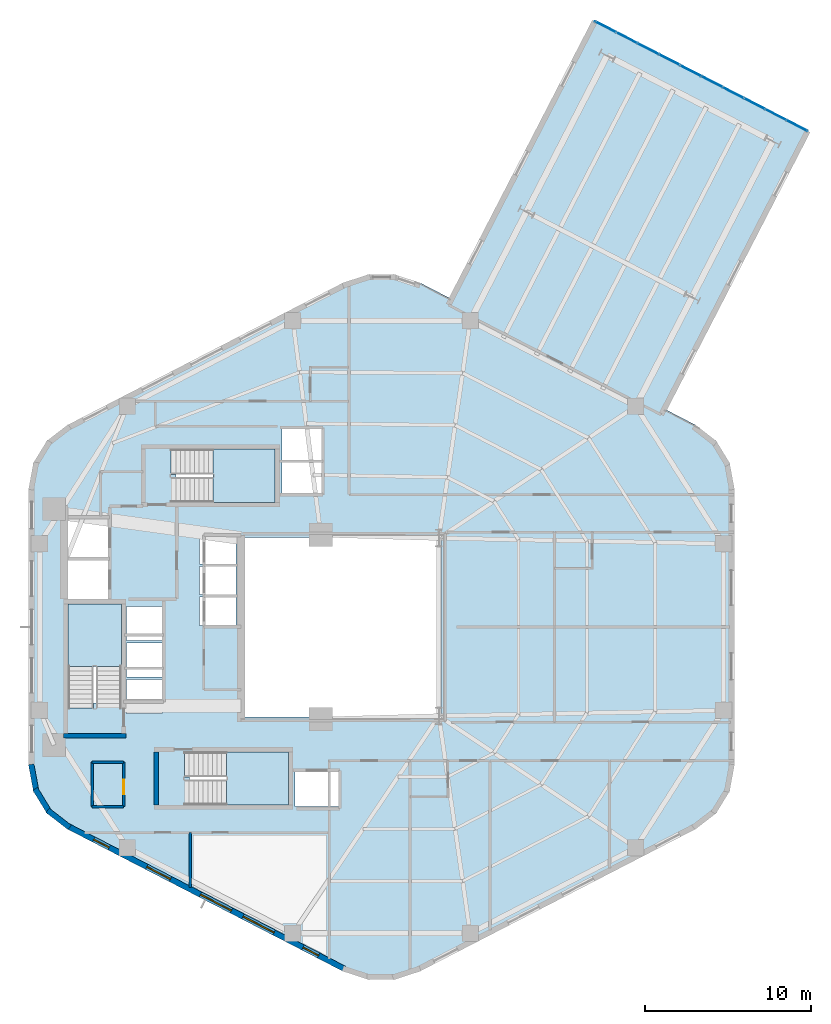
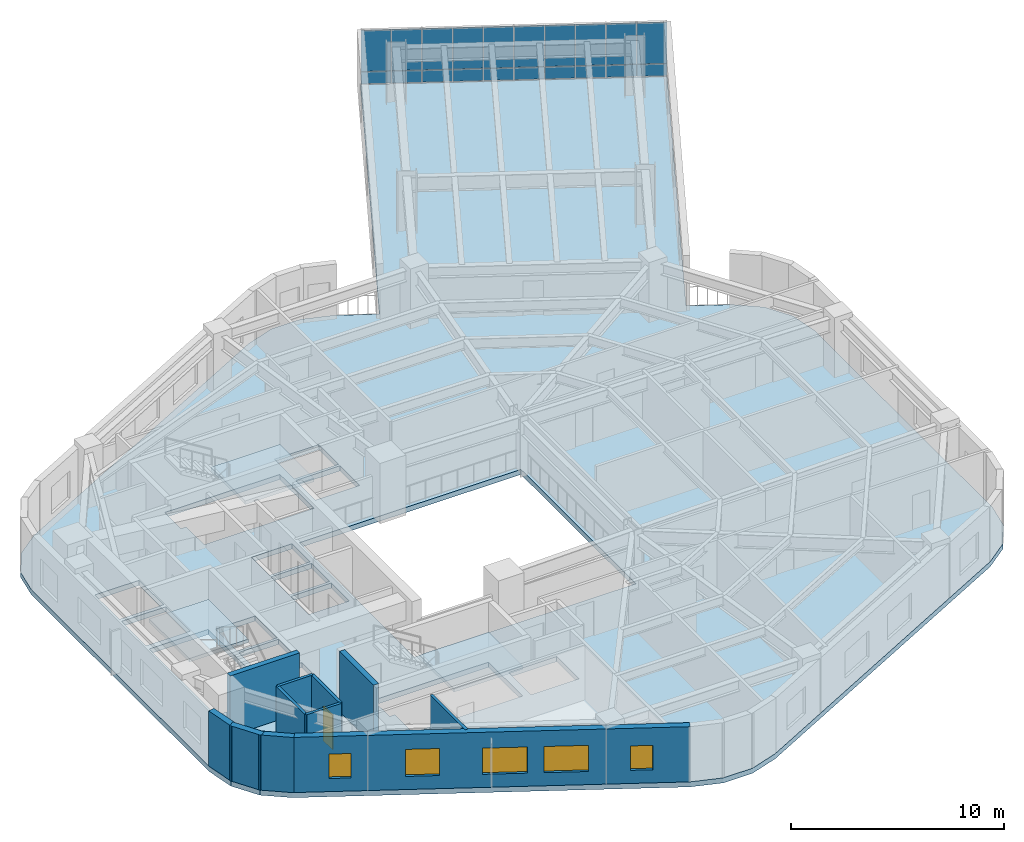
# One storey, part 4 of 10: 20 plates, 11 walls, 5 windows, 4 slabs, 1 door, 6 openings, 4 elements without a shape of their own.
"""IFC4 building model written with IfcOpenShell, lengths in metres."""

from ifc_helpers import new_model, si_unit, direction, frame, frame_2d, origin, origin_2d, place, context, subcontext, project, spatial, polyline, rectangle, outline, extrude, material, layer, layer_set, type_object, element, fill, aggregate, save


model = new_model("IFC4")

# Units and contexts
model_context = context("Model", 3, precision=1e-05, world=origin(), true_north=direction((0.0, 1.0)))
body_context = subcontext(model_context, "Body", "Model", "MODEL_VIEW")
ifc_project = project(units=[si_unit("LENGTHUNIT", "METRE"), si_unit("AREAUNIT", "SQUARE_METRE"), si_unit("VOLUMEUNIT", "CUBIC_METRE"), si_unit("PLANEANGLEUNIT", "RADIAN"), si_unit("MASSUNIT", "GRAM", prefix="KILO"), si_unit("THERMODYNAMICTEMPERATUREUNIT", "KELVIN"), si_unit("POWERUNIT", "WATT")], contexts=[model_context])

# Site, building, storey
site_placement = place(None, origin())
site = spatial("IfcSite", under=ifc_project, at=site_placement, CompositionType="ELEMENT")
building_placement = place(site_placement, origin())
building = spatial("IfcBuilding", under=site, at=building_placement, Name="Skarre Station Tower", CompositionType="ELEMENT")
storey_placement = place(building_placement, frame((0.0, 0.0, 115.35009765625)))
storey = spatial("IfcBuildingStorey", under=building, at=storey_placement, Name="L30", CompositionType="ELEMENT", Elevation=115.35009765625)

# Curtain wall, plates
ifc_material_1 = material(Name="Thermally Broken Bronze-Anodized Aluminium & Triple Low-E Glass", Category="aluminium")
ifc_layer_1 = layer(ifc_material_1, 0.2099609375, Name="Thermally Broken Bronze-Anodized Aluminium & Triple Low-E Glass")
ifc_layer_set_1 = layer_set([ifc_layer_1], Name="Thermally Broken Bronze-Anodized Aluminium & Triple Low-E Glass")
curtain_wall_type = type_object("IfcCurtainWallType", Name="Sky-Bar Prow Structural Glazed Curtain Wall", PredefinedType="NOTDEFINED", material=ifc_layer_set_1)
curtain_wall_placement = place(storey_placement, origin())
curtain_wall = element("IfcCurtainWall", 1, at=curtain_wall_placement, inside=storey, type_object=curtain_wall_type, Name="L30 SB-2 Lakefront Prow Curtain Wall", PredefinedType="NOTDEFINED")
ifc_material_2 = material(Name="Insulated Bronze Anodized Aluminium Spandrel", Category="aluminium")
ifc_layer_2 = layer(ifc_material_2, 0.052001953125, Name="Insulated Bronze Anodized Aluminium Spandrel")
ifc_layer_set_2 = layer_set([ifc_layer_2], Name="Insulated Bronze Anodized Aluminium Spandrel")
plate_type_1 = type_object("IfcPlateType", Name="Bronze Insulated Spandrel Sheet Panel 52", PredefinedType="SHEET", material=ifc_layer_set_2)
plate_1_placement = place(storey_placement, frame((49.47412109375, 60.10302734375, 0.052001953125), z_axis=(0.0, 0.0, 1.0), x_axis=(0.888601222224, -0.458680572798, 0.0)))
plate_1 = element("IfcPlate", 2, at=plate_1_placement, type_object=plate_type_1, Name="L30 SB-2 Lakefront Prow Curtain Wall Spandrel Panel 1-1", PredefinedType="SHEET", context=body_context, shape_type="SweptSolid", body=[
    extrude(rectangle(XDim=1.416015625, YDim=0.052001953125, at=origin_2d()), origin(), (0.0, 0.0, 1.0), 0.68603515625),
])
plate_2_placement = place(storey_placement, frame((50.7529296875, 59.44189453125, 0.052001953125), z_axis=(0.0, 0.0, 1.0), x_axis=(0.888601222224, -0.458680572798, 0.0)))
plate_2 = element("IfcPlate", 3, at=plate_2_placement, type_object=plate_type_1, Name="L30 SB-2 Lakefront Prow Curtain Wall Spandrel Panel 2-1", PredefinedType="SHEET", context=body_context, shape_type="SweptSolid", body=[
    extrude(rectangle(XDim=1.416015625, YDim=0.052001953125, at=origin_2d()), origin(), (0.0, 0.0, 1.0), 0.68603515625),
])
plate_3_placement = place(storey_placement, frame((52.032958984375, 58.781982421875, 0.052001953125), z_axis=(0.0, 0.0, 1.0), x_axis=(0.888601222224, -0.458680572798, 0.0)))
plate_3 = element("IfcPlate", 4, at=plate_3_placement, type_object=plate_type_1, Name="L30 SB-2 Lakefront Prow Curtain Wall Spandrel Panel 3-1", PredefinedType="SHEET", context=body_context, shape_type="SweptSolid", body=[
    extrude(rectangle(XDim=1.416015625, YDim=0.052001953125, at=origin_2d()), origin(), (0.0, 0.0, 1.0), 0.68603515625),
])
plate_4_placement = place(storey_placement, frame((53.31298828125, 58.12109375, 0.052001953125), z_axis=(0.0, 0.0, 1.0), x_axis=(0.888601222224, -0.458680572798, 0.0)))
plate_4 = element("IfcPlate", 5, at=plate_4_placement, type_object=plate_type_1, Name="L30 SB-2 Lakefront Prow Curtain Wall Spandrel Panel 4-1", PredefinedType="SHEET", context=body_context, shape_type="SweptSolid", body=[
    extrude(rectangle(XDim=1.416015625, YDim=0.052001953125, at=origin_2d()), origin(), (0.0, 0.0, 1.0), 0.68603515625),
])
plate_5_placement = place(storey_placement, frame((54.592041015625, 57.4609375, 0.052001953125), z_axis=(0.0, 0.0, 1.0), x_axis=(0.888601222224, -0.458680572798, 0.0)))
plate_5 = element("IfcPlate", 6, at=plate_5_placement, type_object=plate_type_1, Name="L30 SB-2 Lakefront Prow Curtain Wall Spandrel Panel 5-1", PredefinedType="SHEET", context=body_context, shape_type="SweptSolid", body=[
    extrude(rectangle(XDim=1.416015625, YDim=0.052001953125, at=origin_2d()), origin(), (0.0, 0.0, 1.0), 0.68603515625),
])
plate_6_placement = place(storey_placement, frame((55.8720703125, 56.800048828125, 0.052001953125), z_axis=(0.0, 0.0, 1.0), x_axis=(0.888601222224, -0.458680572798, 0.0)))
plate_6 = element("IfcPlate", 7, at=plate_6_placement, type_object=plate_type_1, Name="L30 SB-2 Lakefront Prow Curtain Wall Spandrel Panel 6-1", PredefinedType="SHEET", context=body_context, shape_type="SweptSolid", body=[
    extrude(rectangle(XDim=1.416015625, YDim=0.052001953125, at=origin_2d()), origin(), (0.0, 0.0, 1.0), 0.68603515625),
])
plate_7_placement = place(storey_placement, frame((57.15087890625, 56.139892578125, 0.052001953125), z_axis=(0.0, 0.0, 1.0), x_axis=(0.888601222224, -0.458680572798, 0.0)))
plate_7 = element("IfcPlate", 8, at=plate_7_placement, type_object=plate_type_1, Name="L30 SB-2 Lakefront Prow Curtain Wall Spandrel Panel 7-1", PredefinedType="SHEET", context=body_context, shape_type="SweptSolid", body=[
    extrude(rectangle(XDim=1.416015625, YDim=0.052001953125, at=origin_2d()), origin(), (0.0, 0.0, 1.0), 0.68603515625),
])
plate_8_placement = place(storey_placement, frame((58.430908203125, 55.47900390625, 0.052001953125), z_axis=(0.0, 0.0, 1.0), x_axis=(0.888601222224, -0.458680572798, 0.0)))
plate_8 = element("IfcPlate", 9, at=plate_8_placement, type_object=plate_type_1, Name="L30 SB-2 Lakefront Prow Curtain Wall Spandrel Panel 8-1", PredefinedType="SHEET", context=body_context, shape_type="SweptSolid", body=[
    extrude(rectangle(XDim=1.416015625, YDim=0.052001953125, at=origin_2d()), origin(), (0.0, 0.0, 1.0), 0.68603515625),
])
plate_9_placement = place(storey_placement, frame((59.7109375, 54.819091796875, 0.052001953125), z_axis=(0.0, 0.0, 1.0), x_axis=(0.888601222224, -0.458680572798, 0.0)))
plate_9 = element("IfcPlate", 10, at=plate_9_placement, type_object=plate_type_1, Name="L30 SB-2 Lakefront Prow Curtain Wall Spandrel Panel 9-1", PredefinedType="SHEET", context=body_context, shape_type="SweptSolid", body=[
    extrude(rectangle(XDim=1.416015625, YDim=0.052001953125, at=origin_2d()), origin(), (0.0, 0.0, 1.0), 0.68603515625),
])
plate_10_placement = place(storey_placement, frame((60.989990234375, 54.157958984375, 0.052001953125), z_axis=(0.0, 0.0, 1.0), x_axis=(0.888601222224, -0.458680572798, 0.0)))
plate_10 = element("IfcPlate", 11, at=plate_10_placement, type_object=plate_type_1, Name="L30 SB-2 Lakefront Prow Curtain Wall Spandrel Panel 10-1", PredefinedType="SHEET", context=body_context, shape_type="SweptSolid", body=[
    extrude(rectangle(XDim=1.416015625, YDim=0.052001953125, at=origin_2d()), origin(), (0.0, 0.0, 1.0), 0.68603515625),
])

# Stair, slab
ifc_material_3 = material(Name="Concrete C40/50", Category="concrete")
stair_type_1 = type_object("IfcStairType", Name="Reinforced Concrete Exit Stair ST-1", PredefinedType="HALF_TURN_STAIR", material=ifc_material_3)
stair_1_placement = place(storey_placement, origin())
stair_1 = element("IfcStair", 12, at=stair_1_placement, inside=storey, type_object=stair_type_1, Name="L30 Core Exit Stair ST-1", PredefinedType="HALF_TURN_STAIR")
ifc_layer_3 = layer(ifc_material_3, 0.219970703125, Name="Concrete C40/50")
ifc_layer_set_3 = layer_set([ifc_layer_3], Name="Concrete C40/50")
slab_type_1 = type_object("IfcSlabType", Name="Reinforced Concrete Stair & Ramp Landing 220", PredefinedType="LANDING", material=ifc_layer_set_3)
slab_1_placement = place(storey_placement, frame((0.0, 0.0, 1.52490234375)))
slab_1 = element("IfcSlab", 13, at=slab_1_placement, type_object=slab_type_1, Name="ST-1 landing 1", PredefinedType="LANDING", context=body_context, shape_type="SweptSolid", body=[
    extrude(outline(polyline([(20.35009765625, 21.639892578125), (20.35009765625, 25.39990234375), (17.14990234375, 25.39990234375), (17.14990234375, 21.639892578125), (20.35009765625, 21.639892578125)])), origin(), (0.0, 0.0, 1.0), 0.199951171875),
])
aggregate(stair_1, [slab_1])

stair_type_2 = type_object("IfcStairType", Name="Reinforced Concrete Exit Stair ST-2", PredefinedType="HALF_TURN_STAIR", material=ifc_material_3)
stair_2_placement = place(storey_placement, origin())
stair_2 = element("IfcStair", 14, at=stair_2_placement, inside=storey, type_object=stair_type_2, Name="L30 Core Exit Stair ST-2", PredefinedType="HALF_TURN_STAIR")
slab_2_placement = place(storey_placement, frame((0.0, 0.0, 1.52490234375)))
slab_2 = element("IfcSlab", 15, at=slab_2_placement, type_object=slab_type_1, Name="ST-2 landing 1", PredefinedType="LANDING", context=body_context, shape_type="SweptSolid", body=[
    extrude(outline(polyline([(26.669921875, 13.300048828125), (30.39990234375, 13.300048828125), (30.39990234375, 16.5), (26.669921875, 16.5), (26.669921875, 13.300048828125)])), origin(), (0.0, 0.0, 1.0), 0.199951171875),
])
aggregate(stair_2, [slab_2])

stair_type_3 = type_object("IfcStairType", Name="Reinforced Concrete Exit Stair ST-3", PredefinedType="HALF_TURN_STAIR", material=ifc_material_3)
stair_3_placement = place(storey_placement, origin())
stair_3 = element("IfcStair", 16, at=stair_3_placement, inside=storey, type_object=stair_type_3, Name="L30 Core Exit Stair ST-3", PredefinedType="HALF_TURN_STAIR")
slab_3_placement = place(storey_placement, frame((0.0, 0.0, 1.52490234375)))
slab_3 = element("IfcSlab", 17, at=slab_3_placement, type_object=slab_type_1, Name="ST-3 landing 1", PredefinedType="LANDING", context=body_context, shape_type="SweptSolid", body=[
    extrude(outline(polyline([(25.8701171875, 31.5), (29.60009765625, 31.5), (29.60009765625, 34.699951171875), (25.8701171875, 34.699951171875), (25.8701171875, 31.5)])), origin(), (0.0, 0.0, 1.0), 0.199951171875),
])
aggregate(stair_3, [slab_3])

# Slab
ifc_material_4 = material(Name="Concrete C50/60", Category="concrete")
ifc_layer_4 = layer(ifc_material_4, 0.2900390625, Name="Concrete C50/60")
ifc_layer_set_4 = layer_set([ifc_layer_4], Name="Concrete C50/60")
slab_type_2 = type_object("IfcSlabType", Name="Sky-Bar Composite Floor Slab 290", PredefinedType="FLOOR", material=ifc_layer_set_4)
slab_4_placement = place(storey_placement, frame((0.0, 0.0, -0.2900390625)))
element("IfcSlab", 18, at=slab_4_placement, inside=storey, type_object=slab_type_2, Name="L30 Tower and SB-2 Floor Slab", PredefinedType="FLOOR", context=body_context, shape_type="SweptSolid", body=[
    extrude(outline(polyline([(53.007080078125, 37.123046875), (61.6298828125, 53.827880859375), (48.833984375, 60.43310546875), (40.2109375, 43.72705078125), (38.30908203125, 44.708984375), (36.7958984375, 45.2060546875), (35.2041015625, 45.2060546875), (33.69091796875, 44.708984375), (17.091064453125, 36.14111328125), (15.867919921875, 35.194091796875), (15.06298828125, 33.873046875), (14.781982421875, 32.35205078125), (14.781982421875, 15.64794921875), (15.06298828125, 14.126953125), (15.867919921875, 12.805908203125), (17.091064453125, 11.85888671875), (33.69091796875, 3.291015625), (35.2041015625, 2.7939453125), (36.7958984375, 2.7939453125), (38.30908203125, 3.291015625), (54.908935546875, 11.85888671875), (56.132080078125, 12.805908203125), (56.93701171875, 14.126953125), (57.218017578125, 15.64794921875), (57.218017578125, 32.35205078125), (56.93701171875, 33.873046875), (56.132080078125, 35.194091796875), (54.908935546875, 36.14111328125), (53.007080078125, 37.123046875)]), holes=[polyline([(18.669921875, 19.419921875), (18.669921875, 19.123046875), (17.14990234375, 19.123046875), (17.14990234375, 25.39990234375), (20.35009765625, 25.39990234375), (20.35009765625, 19.419921875), (18.669921875, 19.419921875)]), polyline([(24.449951171875, 14.97998046875), (24.153076171875, 14.97998046875), (24.153076171875, 16.5), (30.39990234375, 16.5), (30.39990234375, 13.300048828125), (24.449951171875, 13.300048828125), (24.449951171875, 14.97998046875)]), polyline([(23.64990234375, 33.179931640625), (23.35302734375, 33.179931640625), (23.35302734375, 34.699951171875), (29.60009765625, 34.699951171875), (29.60009765625, 31.5), (23.64990234375, 31.5), (23.64990234375, 33.179931640625)]), polyline([(17.14990234375, 28.0), (19.550048828125, 28.0), (19.550048828125, 25.699951171875), (17.14990234375, 25.699951171875), (17.14990234375, 28.0)]), polyline([(17.14990234375, 30.5), (19.550048828125, 30.5), (19.550048828125, 28.199951171875), (17.14990234375, 28.199951171875), (17.14990234375, 30.5)]), polyline([(30.800048828125, 15.300048828125), (33.39990234375, 15.300048828125), (33.39990234375, 13.199951171875), (30.800048828125, 13.199951171875), (30.800048828125, 15.300048828125)]), polyline([(25.050048828125, 25.800048828125), (27.25, 25.800048828125), (27.25, 24.10009765625), (25.050048828125, 24.10009765625), (25.050048828125, 25.800048828125)]), polyline([(25.050048828125, 27.64990234375), (27.25, 27.64990234375), (27.25, 25.949951171875), (25.050048828125, 25.949951171875), (25.050048828125, 27.64990234375)]), polyline([(25.050048828125, 29.5), (27.25, 29.5), (27.25, 27.800048828125), (25.050048828125, 27.800048828125), (25.050048828125, 29.5)]), polyline([(20.64990234375, 20.85009765625), (22.800048828125, 20.85009765625), (22.800048828125, 18.800048828125), (20.64990234375, 18.800048828125), (20.64990234375, 20.85009765625)]), polyline([(20.64990234375, 23.050048828125), (22.800048828125, 23.050048828125), (22.800048828125, 21.0), (20.64990234375, 21.0), (20.64990234375, 23.050048828125)]), polyline([(20.64990234375, 25.25), (22.800048828125, 25.25), (22.800048828125, 23.199951171875), (20.64990234375, 23.199951171875), (20.64990234375, 25.25)]), polyline([(30.0, 33.89990234375), (32.39990234375, 33.89990234375), (32.39990234375, 32.050048828125), (30.0, 32.050048828125), (30.0, 33.89990234375)]), polyline([(30.0, 35.89990234375), (32.39990234375, 35.89990234375), (32.39990234375, 34.050048828125), (30.0, 34.050048828125), (30.0, 35.89990234375)]), polyline([(27.60009765625, 29.39990234375), (39.60009765625, 29.39990234375), (39.60009765625, 18.60009765625), (27.60009765625, 18.60009765625), (27.60009765625, 29.39990234375)])]), origin(), (0.0, 0.0, 1.0), 0.2900390625),
])

# Plate
ifc_material_5 = material(Name="Low-Iron Triple Insulating Glass Unit", Category="glass")
ifc_layer_5 = layer(ifc_material_5, 0.0439453125, Name="Low-Iron Triple Insulating Glass Unit")
ifc_layer_set_5 = layer_set([ifc_layer_5], Name="Low-Iron Triple Insulating Glass Unit")
plate_type_2 = type_object("IfcPlateType", Name="Triple-Glazed Vision Curtain Panel 44", PredefinedType="CURTAIN_PANEL", material=ifc_layer_set_5)
plate_11_placement = place(storey_placement, frame((49.47412109375, 60.10302734375, 0.76171875), z_axis=(0.0, 0.0, 1.0), x_axis=(0.888601222224, -0.458680572798, 0.0)))
plate_11 = element("IfcPlate", 19, at=plate_11_placement, type_object=plate_type_2, Name="L30 SB-2 Lakefront Prow Curtain Wall Vision Panel 1-2", PredefinedType="CURTAIN_PANEL", context=body_context, shape_type="SweptSolid", body=[
    extrude(rectangle(XDim=1.416015625, YDim=0.0439453125, at=origin_2d()), origin(), (0.0, 0.0, 1.0), 2.345947265625),
])

plate_12_placement = place(storey_placement, frame((50.7529296875, 59.44189453125, 0.76171875), z_axis=(0.0, 0.0, 1.0), x_axis=(0.888601222224, -0.458680572798, 0.0)))
plate_12 = element("IfcPlate", 20, at=plate_12_placement, type_object=plate_type_2, Name="L30 SB-2 Lakefront Prow Curtain Wall Vision Panel 2-2", PredefinedType="CURTAIN_PANEL", context=body_context, shape_type="SweptSolid", body=[
    extrude(rectangle(XDim=1.416015625, YDim=0.0439453125, at=origin_2d()), origin(), (0.0, 0.0, 1.0), 2.345947265625),
])

plate_13_placement = place(storey_placement, frame((52.032958984375, 58.781982421875, 0.76171875), z_axis=(0.0, 0.0, 1.0), x_axis=(0.888601222224, -0.458680572798, 0.0)))
plate_13 = element("IfcPlate", 21, at=plate_13_placement, type_object=plate_type_2, Name="L30 SB-2 Lakefront Prow Curtain Wall Vision Panel 3-2", PredefinedType="CURTAIN_PANEL", context=body_context, shape_type="SweptSolid", body=[
    extrude(rectangle(XDim=1.416015625, YDim=0.0439453125, at=origin_2d()), origin(), (0.0, 0.0, 1.0), 2.345947265625),
])

plate_14_placement = place(storey_placement, frame((53.31298828125, 58.12109375, 0.76171875), z_axis=(0.0, 0.0, 1.0), x_axis=(0.888601222224, -0.458680572798, 0.0)))
plate_14 = element("IfcPlate", 22, at=plate_14_placement, type_object=plate_type_2, Name="L30 SB-2 Lakefront Prow Curtain Wall Vision Panel 4-2", PredefinedType="CURTAIN_PANEL", context=body_context, shape_type="SweptSolid", body=[
    extrude(rectangle(XDim=1.416015625, YDim=0.0439453125, at=origin_2d()), origin(), (0.0, 0.0, 1.0), 2.345947265625),
])

plate_15_placement = place(storey_placement, frame((54.592041015625, 57.4609375, 0.76171875), z_axis=(0.0, 0.0, 1.0), x_axis=(0.888601222224, -0.458680572798, 0.0)))
plate_15 = element("IfcPlate", 23, at=plate_15_placement, type_object=plate_type_2, Name="L30 SB-2 Lakefront Prow Curtain Wall Vision Panel 5-2", PredefinedType="CURTAIN_PANEL", context=body_context, shape_type="SweptSolid", body=[
    extrude(rectangle(XDim=1.416015625, YDim=0.0439453125, at=origin_2d()), origin(), (0.0, 0.0, 1.0), 2.345947265625),
])

plate_16_placement = place(storey_placement, frame((55.8720703125, 56.800048828125, 0.76171875), z_axis=(0.0, 0.0, 1.0), x_axis=(0.888601222224, -0.458680572798, 0.0)))
plate_16 = element("IfcPlate", 24, at=plate_16_placement, type_object=plate_type_2, Name="L30 SB-2 Lakefront Prow Curtain Wall Vision Panel 6-2", PredefinedType="CURTAIN_PANEL", context=body_context, shape_type="SweptSolid", body=[
    extrude(rectangle(XDim=1.416015625, YDim=0.0439453125, at=origin_2d()), origin(), (0.0, 0.0, 1.0), 2.345947265625),
])

plate_17_placement = place(storey_placement, frame((57.15087890625, 56.139892578125, 0.76171875), z_axis=(0.0, 0.0, 1.0), x_axis=(0.888601222224, -0.458680572798, 0.0)))
plate_17 = element("IfcPlate", 25, at=plate_17_placement, type_object=plate_type_2, Name="L30 SB-2 Lakefront Prow Curtain Wall Vision Panel 7-2", PredefinedType="CURTAIN_PANEL", context=body_context, shape_type="SweptSolid", body=[
    extrude(rectangle(XDim=1.416015625, YDim=0.0439453125, at=origin_2d()), origin(), (0.0, 0.0, 1.0), 2.345947265625),
])

plate_18_placement = place(storey_placement, frame((58.430908203125, 55.47900390625, 0.76171875), z_axis=(0.0, 0.0, 1.0), x_axis=(0.888601222224, -0.458680572798, 0.0)))
plate_18 = element("IfcPlate", 26, at=plate_18_placement, type_object=plate_type_2, Name="L30 SB-2 Lakefront Prow Curtain Wall Vision Panel 8-2", PredefinedType="CURTAIN_PANEL", context=body_context, shape_type="SweptSolid", body=[
    extrude(rectangle(XDim=1.416015625, YDim=0.0439453125, at=origin_2d()), origin(), (0.0, 0.0, 1.0), 2.345947265625),
])

plate_19_placement = place(storey_placement, frame((59.7109375, 54.819091796875, 0.76171875), z_axis=(0.0, 0.0, 1.0), x_axis=(0.888601222224, -0.458680572798, 0.0)))
plate_19 = element("IfcPlate", 27, at=plate_19_placement, type_object=plate_type_2, Name="L30 SB-2 Lakefront Prow Curtain Wall Vision Panel 9-2", PredefinedType="CURTAIN_PANEL", context=body_context, shape_type="SweptSolid", body=[
    extrude(rectangle(XDim=1.416015625, YDim=0.0439453125, at=origin_2d()), origin(), (0.0, 0.0, 1.0), 2.345947265625),
])

plate_20_placement = place(storey_placement, frame((60.989990234375, 54.157958984375, 0.76171875), z_axis=(0.0, 0.0, 1.0), x_axis=(0.888601222224, -0.458680572798, 0.0)))
plate_20 = element("IfcPlate", 28, at=plate_20_placement, type_object=plate_type_2, Name="L30 SB-2 Lakefront Prow Curtain Wall Vision Panel 10-2", PredefinedType="CURTAIN_PANEL", context=body_context, shape_type="SweptSolid", body=[
    extrude(rectangle(XDim=1.416015625, YDim=0.0439453125, at=origin_2d()), origin(), (0.0, 0.0, 1.0), 2.345947265625),
])

aggregate(curtain_wall, [plate_1, plate_11, plate_2, plate_12, plate_3, plate_13, plate_4, plate_14, plate_5, plate_15, plate_6, plate_16, plate_7, plate_17, plate_8, plate_18, plate_9, plate_19, plate_10, plate_20])

# Walls
ifc_material_6 = material(Name="Acoustic Steel-Stud Gypsum Partition", Category="steel")
ifc_layer_6 = layer(ifc_material_6, 0.14990234375, Name="Acoustic Steel-Stud Gypsum Partition")
ifc_layer_set_6 = layer_set([ifc_layer_6], Name="Acoustic Steel-Stud Gypsum Partition")
wall_type_1 = type_object("IfcWallType", Name="Fire-Rated Corridor Acoustic Partition 150", PredefinedType="PARTITIONING", material=ifc_layer_set_6)
wall_1_placement = place(storey_placement, frame((18.60009765625, 15.8798828125, 0.0), z_axis=(0.0, 0.0, 1.0), x_axis=(0.0, -1.0, 0.0)))
element("IfcWall", 29, at=wall_1_placement, inside=storey, type_object=wall_type_1, Name="L30 Interior Partition WL-PT-L30-CSVC-W", PredefinedType="PARTITIONING", context=body_context, shape_type="SweptSolid", body=[
    extrude(rectangle(XDim=2.679931640625, YDim=0.14990234375, at=frame_2d((1.33984375, 0.0))), origin(), (0.0, 0.0, 1.0), 3.159912109375),
])
for number, where, z_axis, x_axis, name in (
    (30, (18.60009765625, 13.199951171875, 0.0), (0.0, 0.0, 1.0), (1.0, 0.0, 0.0), "L30 Interior Partition WL-PT-L30-CSVC-S"),
    (31, (18.60009765625, 15.8798828125, 0.0), (0.0, 0.0, 1.0), (1.0, 0.0, 0.0), "L30 Interior Partition WL-PT-L30-CSVC-N"),
):
    element("IfcWall", number, at=place(storey_placement, frame(where, z_axis=z_axis, x_axis=x_axis)), inside=storey, type_object=wall_type_1, Name=name, PredefinedType="PARTITIONING", context=body_context, shape_type="SweptSolid", body=[
        extrude(rectangle(XDim=1.889892578125, YDim=0.14990234375, at=frame_2d((0.94482421875, 0.0))), origin(), (0.0, 0.0, 1.0), 3.159912109375),
    ])

# Wall, opening, door
wall_2_placement = place(storey_placement, frame((20.489990234375, 13.199951171875, 0.0), z_axis=(0.0, 0.0, 1.0), x_axis=(0.0, 1.0, 0.0)))
wall_2 = element("IfcWall", 32, at=wall_2_placement, inside=storey, type_object=wall_type_1, Name="L30 Interior Partition WL-PT-L30-CSVC-E", PredefinedType="PARTITIONING", context=body_context, shape_type="SweptSolid", body=[
    extrude(rectangle(XDim=2.679931640625, YDim=0.14990234375, at=frame_2d((1.33984375, 0.0))), origin(), (0.0, 0.0, 1.0), 3.159912109375),
])
opening_1_placement = place(wall_2_placement, frame((0.75, 0.0, 0.0)))
opening_1 = element("IfcOpeningElement", 33, at=opening_1_placement, cuts=wall_2, Name="Opening DR-SVC86", PredefinedType="OPENING", context=body_context, shape_type="SweptSolid", body=[
    extrude(rectangle(XDim=0.860107421875, YDim=2.0, at=frame_2d((0.43017578125, 1.0))), frame((0.0, 0.0849609375, 0.0), z_axis=(0.0, -1.0, 0.0), x_axis=(1.0, 0.0, 0.0)), (0.0, 0.0, 1.0), 0.169921875),
])
ifc_material_7 = material(Name="Powder-Coated Hollow-Metal Acoustic Fire Leaf", Category="steel")
door_type = type_object("IfcDoorType", Name="Compact Riser Fire Door FD60 860x2100", OperationType="SINGLE_SWING_LEFT", PredefinedType="DOOR", material=ifc_material_7)
door_placement = place(opening_1_placement, origin())
door = element("IfcDoor", 34, at=door_placement, inside=storey, type_object=door_type, Name="L30 Supply Room Door", OperationType="SINGLE_SWING_LEFT", OverallHeight=2.0, OverallWidth=0.860107421875, PredefinedType="DOOR", context=body_context, shape_type="SweptSolid", body=[
    extrude(rectangle(XDim=0.860107421875, YDim=2.0, at=frame_2d((0.43017578125, 1.0))), frame((0.0, 0.02490234375, 0.0), z_axis=(0.0, -1.0, 0.0), x_axis=(1.0, 0.0, 0.0)), (0.0, 0.0, 1.0), 0.050048828125),
])
fill(opening_1, door)

# Wall
wall_3_placement = place(storey_placement, frame((24.5, 8.35009765625, 0.0), z_axis=(0.0, 0.0, 1.0), x_axis=(0.0, 1.0, 0.0)))
element("IfcWall", 35, at=wall_3_placement, inside=storey, type_object=wall_type_1, Name="L30 Interior Partition WL-PT-L30-SWP-M", PredefinedType="PARTITIONING", context=body_context, shape_type="SweptSolid", body=[
    extrude(rectangle(XDim=3.289794921875, YDim=0.14990234375, at=frame_2d((1.64501953125, 0.0))), origin(), (0.0, 0.0, 1.0), 3.159912109375),
])

# Wall, openings, windows
ifc_material_8 = material(Name="Precast concrete C45/55", Category="concrete")
ifc_layer_7 = layer(ifc_material_8, 0.340087890625, Name="Precast concrete C45/55")
ifc_layer_set_7 = layer_set([ifc_layer_7], Name="Precast concrete C45/55")
wall_type_2 = type_object("IfcWallType", Name="Nordic Honed Precast Facet Wall 340", PredefinedType="STANDARD", material=ifc_layer_set_7)
wall_4_placement = place(storey_placement, frame((33.76904296875, 3.44189453125, 0.0), z_axis=(0.0, 0.0, 1.0), x_axis=(-0.888613612362, 0.458656568606, 0.0)))
wall_4 = element("IfcWall", 36, at=wall_4_placement, inside=storey, type_object=wall_type_2, Name="L30 Facet 3 Nordic Precast Masonry Wall", PredefinedType="STANDARD", context=body_context, shape_type="SweptSolid", body=[
    extrude(rectangle(XDim=18.680908203125, YDim=0.340087890625, at=frame_2d((9.34033203125, 0.0))), origin(), (0.0, 0.0, 1.0), 3.159912109375),
])
opening_2_placement = place(wall_4_placement, frame((1.75, 0.0, 0.75)))
opening_2 = element("IfcOpeningElement", 37, at=opening_2_placement, cuts=wall_4, Name="Opening WN-SLT", PredefinedType="OPENING", context=body_context, shape_type="SweptSolid", body=[
    extrude(rectangle(XDim=1.050048828125, YDim=1.39990234375, at=frame_2d((0.52490234375, 0.699951171875))), frame((0.0, 0.179931640625, 0.0), z_axis=(0.0, -1.0, 0.0), x_axis=(1.0, 0.0, 0.0)), (0.0, 0.0, 1.0), 0.360107421875),
])
opening_3_placement = place(wall_4_placement, frame((4.764892578125, 0.0, 0.75)))
opening_3 = element("IfcOpeningElement", 38, at=opening_3_placement, cuts=wall_4, Name="Opening WN-Z2B", PredefinedType="OPENING", context=body_context, shape_type="SweptSolid", body=[
    extrude(rectangle(XDim=2.10009765625, YDim=1.5, at=frame_2d((1.050048828125, 0.75))), frame((0.0, 0.179931640625, 0.0), z_axis=(0.0, -1.0, 0.0), x_axis=(1.0, 0.0, 0.0)), (0.0, 0.0, 1.0), 0.360107421875),
])
opening_4_placement = place(wall_4_placement, frame((7.64404296875, 0.0, 0.75)))
opening_4 = element("IfcOpeningElement", 39, at=opening_4_placement, cuts=wall_4, Name="Opening WN-Z2B", PredefinedType="OPENING", context=body_context, shape_type="SweptSolid", body=[
    extrude(rectangle(XDim=2.10009765625, YDim=1.5, at=frame_2d((1.050048828125, 0.75))), frame((0.0, 0.179931640625, 0.0), z_axis=(0.0, -1.0, 0.0), x_axis=(1.0, 0.0, 0.0)), (0.0, 0.0, 1.0), 0.360107421875),
])
opening_5_placement = place(wall_4_placement, frame((11.77392578125, 0.0, 0.75)))
opening_5 = element("IfcOpeningElement", 40, at=opening_5_placement, cuts=wall_4, Name="Opening WN-Z2A", PredefinedType="OPENING", context=body_context, shape_type="SweptSolid", body=[
    extrude(rectangle(XDim=1.60009765625, YDim=1.550048828125, at=frame_2d((0.800048828125, 0.77490234375))), frame((0.0, 0.179931640625, 0.0), z_axis=(0.0, -1.0, 0.0), x_axis=(1.0, 0.0, 0.0)), (0.0, 0.0, 1.0), 0.360107421875),
])
opening_6_placement = place(wall_4_placement, frame((15.919921875, 0.0, 0.75)))
opening_6 = element("IfcOpeningElement", 41, at=opening_6_placement, cuts=wall_4, Name="Opening WN-SLT", PredefinedType="OPENING", context=body_context, shape_type="SweptSolid", body=[
    extrude(rectangle(XDim=1.050048828125, YDim=1.39990234375, at=frame_2d((0.52490234375, 0.699951171875))), frame((0.0, 0.179931640625, 0.0), z_axis=(0.0, -1.0, 0.0), x_axis=(1.0, 0.0, 0.0)), (0.0, 0.0, 1.0), 0.360107421875),
])
ifc_material_9 = material(Name="Low-Iron Triple Glazing with Bronze Anodized Frame", Category="glass")
window_type_1 = type_object("IfcWindowType", Name="Nordic Corner Slot Window 1050x1400", PartitioningType="SINGLE_PANEL", PredefinedType="WINDOW", material=ifc_material_9)
window_1_placement = place(opening_2_placement, origin())
window_1 = element("IfcWindow", 42, at=window_1_placement, inside=storey, type_object=window_type_1, Name="L30 Facade Window WL-FAC-L30-F3-1", OverallHeight=1.39990234375, OverallWidth=1.050048828125, PartitioningType="SINGLE_PANEL", PredefinedType="WINDOW", context=body_context, shape_type="SweptSolid", body=[
    extrude(rectangle(XDim=1.050048828125, YDim=1.39990234375, at=frame_2d((0.52490234375, 0.699951171875))), frame((0.0, 0.030029296875, 0.0), z_axis=(0.0, -1.0, 0.0), x_axis=(1.0, 0.0, 0.0)), (0.0, 0.0, 1.0), 0.06005859375),
])
fill(opening_2, window_1)
window_2_placement = place(opening_6_placement, origin())
window_2 = element("IfcWindow", 43, at=window_2_placement, inside=storey, type_object=window_type_1, Name="L30 Facade Window WL-FAC-L30-F3-5", OverallHeight=1.39990234375, OverallWidth=1.050048828125, PartitioningType="SINGLE_PANEL", PredefinedType="WINDOW", context=body_context, shape_type="SweptSolid", body=[
    extrude(rectangle(XDim=1.050048828125, YDim=1.39990234375, at=frame_2d((0.52490234375, 0.699951171875))), frame((0.0, 0.030029296875, 0.0), z_axis=(0.0, -1.0, 0.0), x_axis=(1.0, 0.0, 0.0)), (0.0, 0.0, 1.0), 0.06005859375),
])
fill(opening_6, window_2)
window_type_2 = type_object("IfcWindowType", Name="Nordic Residential Tall Window 1600x1550", PartitioningType="SINGLE_PANEL", PredefinedType="WINDOW", material=ifc_material_9)
window_3_placement = place(opening_5_placement, origin())
window_3 = element("IfcWindow", 44, at=window_3_placement, inside=storey, type_object=window_type_2, Name="L30 Facade Window WL-FAC-L30-F3-4", OverallHeight=1.550048828125, OverallWidth=1.60009765625, PartitioningType="SINGLE_PANEL", PredefinedType="WINDOW", context=body_context, shape_type="SweptSolid", body=[
    extrude(rectangle(XDim=1.60009765625, YDim=1.550048828125, at=frame_2d((0.800048828125, 0.77490234375))), frame((0.0, 0.030029296875, 0.0), z_axis=(0.0, -1.0, 0.0), x_axis=(1.0, 0.0, 0.0)), (0.0, 0.0, 1.0), 0.06005859375),
])
fill(opening_5, window_3)
window_type_3 = type_object("IfcWindowType", Name="Nordic Residential Twin Window 2100x1500", PartitioningType="SINGLE_PANEL", PredefinedType="WINDOW", material=ifc_material_9)
window_4_placement = place(opening_3_placement, origin())
window_4 = element("IfcWindow", 45, at=window_4_placement, inside=storey, type_object=window_type_3, Name="L30 Facade Window WL-FAC-L30-F3-2", OverallHeight=1.5, OverallWidth=2.10009765625, PartitioningType="SINGLE_PANEL", PredefinedType="WINDOW", context=body_context, shape_type="SweptSolid", body=[
    extrude(rectangle(XDim=2.10009765625, YDim=1.5, at=frame_2d((1.050048828125, 0.75))), frame((0.0, 0.030029296875, 0.0), z_axis=(0.0, -1.0, 0.0), x_axis=(1.0, 0.0, 0.0)), (0.0, 0.0, 1.0), 0.06005859375),
])
fill(opening_3, window_4)
window_5_placement = place(opening_4_placement, origin())
window_5 = element("IfcWindow", 46, at=window_5_placement, inside=storey, type_object=window_type_3, Name="L30 Facade Window WL-FAC-L30-F3-3", OverallHeight=1.5, OverallWidth=2.10009765625, PartitioningType="SINGLE_PANEL", PredefinedType="WINDOW", context=body_context, shape_type="SweptSolid", body=[
    extrude(rectangle(XDim=2.10009765625, YDim=1.5, at=frame_2d((1.050048828125, 0.75))), frame((0.0, 0.030029296875, 0.0), z_axis=(0.0, -1.0, 0.0), x_axis=(1.0, 0.0, 0.0)), (0.0, 0.0, 1.0), 0.06005859375),
])
fill(opening_4, window_5)

# Walls
ifc_layer_8 = layer(ifc_material_8, 0.330078125, Name="Precast concrete C45/55")
ifc_layer_set_8 = layer_set([ifc_layer_8], Name="Precast concrete C45/55")
wall_type_3 = type_object("IfcWallType", Name="Nordic Rounded Corner Precast Wall 330", PredefinedType="STANDARD", material=ifc_layer_set_8)
wall_5_placement = place(storey_placement, frame((17.242919921875, 11.949951171875, 0.0), z_axis=(0.0, 0.0, 1.0), x_axis=(-0.790621329885, 0.612305408053, 0.0)))
element("IfcWall", 47, at=wall_5_placement, inside=storey, type_object=wall_type_3, Name="L30 Rounded Corner Precast Wall F3-1", PredefinedType="STANDARD", context=body_context, shape_type="SweptSolid", body=[
    extrude(rectangle(XDim=1.67578125, YDim=0.330078125, at=frame_2d((0.837890625, 0.0))), origin(), (0.0, 0.0, 1.0), 3.159912109375),
])
wall_6_placement = place(storey_placement, frame((16.04296875, 12.8359375, 0.0), z_axis=(0.0, 0.0, 1.0), x_axis=(-0.520519429557, 0.853849824883, 0.0)))
element("IfcWall", 48, at=wall_6_placement, inside=storey, type_object=wall_type_3, Name="L30 Rounded Corner Precast Wall F3-2", PredefinedType="STANDARD", context=body_context, shape_type="SweptSolid", body=[
    extrude(rectangle(XDim=1.67724609375, YDim=0.330078125, at=frame_2d((0.838623046875, 0.0))), origin(), (0.0, 0.0, 1.0), 3.159912109375),
])
wall_7_placement = place(storey_placement, frame((15.237060546875, 14.093017578125, 0.0), z_axis=(0.0, 0.0, 1.0), x_axis=(-0.181984991895, 0.983301308209, 0.0)))
element("IfcWall", 49, at=wall_7_placement, inside=storey, type_object=wall_type_3, Name="L30 Rounded Corner Precast Wall F3-3", PredefinedType="STANDARD", context=body_context, shape_type="SweptSolid", body=[
    extrude(rectangle(XDim=1.677001953125, YDim=0.330078125, at=frame_2d((0.83837890625, 0.0))), origin(), (0.0, 0.0, 1.0), 3.159912109375),
])
ifc_layer_9 = layer(ifc_material_4, 0.280029296875, Name="Concrete C50/60")
ifc_layer_set_9 = layer_set([ifc_layer_9], Name="Concrete C50/60")
wall_type_4 = type_object("IfcWallType", Name="RC Core Shear Wall 280", PredefinedType="SHEAR", material=ifc_layer_set_9)
wall_8_placement = place(storey_placement, frame((16.8701171875, 17.4599609375, 0.0), z_axis=(0.0, 0.0, 1.0), x_axis=(1.0, 0.0, 0.0)))
element("IfcWall", 50, at=wall_8_placement, inside=storey, type_object=wall_type_4, Name="L30 Stair ST-1 South Shear Wall", PredefinedType="SHEAR", context=body_context, shape_type="SweptSolid", body=[
    extrude(rectangle(XDim=3.759765625, YDim=0.280029296875, at=frame_2d((1.8798828125, 0.0))), origin(), (0.0, 0.0, 1.0), 3.449951171875),
])
wall_9_placement = place(storey_placement, frame((22.4599609375, 16.5, 0.0), z_axis=(0.0, 0.0, 1.0), x_axis=(0.0, -1.0, 0.0)))
element("IfcWall", 51, at=wall_9_placement, inside=storey, type_object=wall_type_4, Name="L30 Stair ST-2 West Shear Wall", PredefinedType="SHEAR", context=body_context, shape_type="SweptSolid", body=[
    extrude(rectangle(XDim=3.199951171875, YDim=0.280029296875, at=frame_2d((1.60009765625, 0.0))), origin(), (0.0, 0.0, 1.0), 3.449951171875),
])

save(model, "model.ifc")
